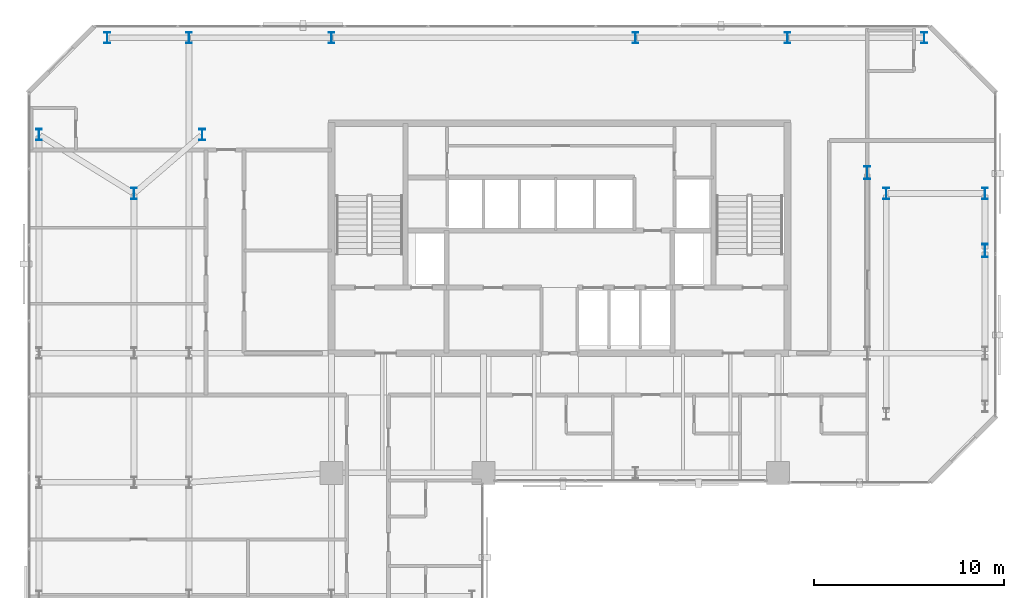
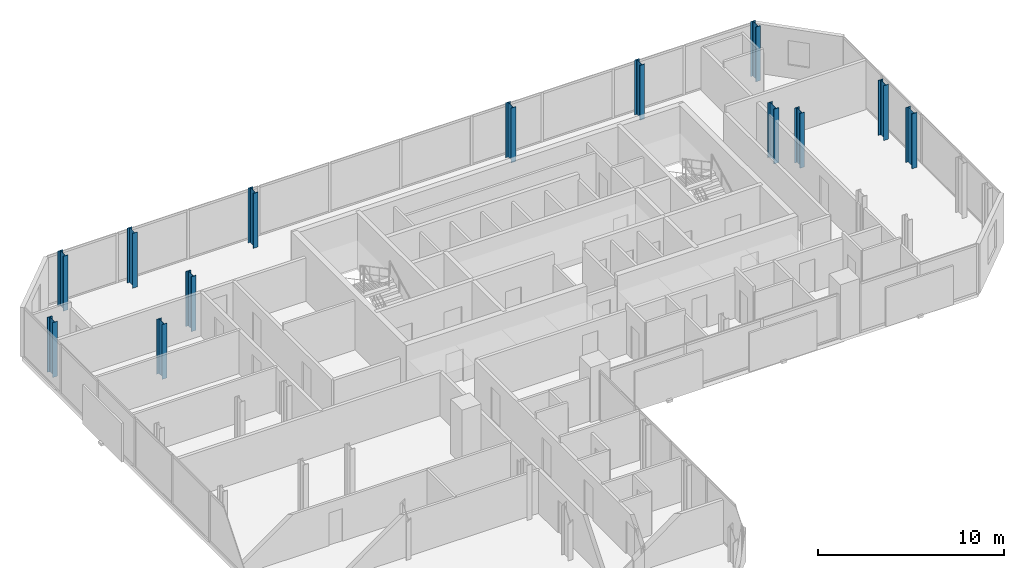
# One storey, part 2 of 32: 13 columns.
"""IFC4 building model written with IfcOpenShell, lengths in metres."""

from ifc_helpers import new_model, si_unit, direction, frame, origin, origin_2d, place, context, subcontext, project, spatial, i_section, extrude, material, material_profile, profile_set, type_object, element, save


model = new_model("IFC4")

# Units and contexts
model_context = context("Model", 3, precision=1e-05, world=origin(), true_north=direction((0.0, 1.0)))
body_context = subcontext(model_context, "Body", "Model", "MODEL_VIEW")
ifc_project = project(units=[si_unit("LENGTHUNIT", "METRE"), si_unit("AREAUNIT", "SQUARE_METRE"), si_unit("VOLUMEUNIT", "CUBIC_METRE"), si_unit("PLANEANGLEUNIT", "RADIAN"), si_unit("MASSUNIT", "GRAM", prefix="KILO")], contexts=[model_context])

# Site, building, storey
site_placement = place(None, origin())
site = spatial("IfcSite", under=ifc_project, at=site_placement, CompositionType="ELEMENT")
building_placement = place(site_placement, origin())
building = spatial("IfcBuilding", under=site, at=building_placement, Name="Catumbela Crestline Tower", CompositionType="ELEMENT")
storey_placement = place(building_placement, frame((0.0, 0.0, 140.4)))
storey = spatial("IfcBuildingStorey", under=building, at=storey_placement, Name="L36", CompositionType="ELEMENT", Elevation=140.4)

# Columns
ifc_material = material(Name="Structural steel S460M", Category="steel")
ifc_material_profile_1 = material_profile(ifc_material, i_section(OverallWidth=0.3, OverallDepth=0.6, WebThickness=0.0155, FlangeThickness=0.03, FilletRadius=0.027, at=origin_2d()), Name="HEB 600")
ifc_profile_set_1 = profile_set([ifc_material_profile_1], Name="Structural steel S460M")
column_type_1 = type_object("IfcColumnType", Name="C-ST-HEB600", PredefinedType="COLUMN", material=ifc_profile_set_1)
for number, where, z_axis, x_axis, name in (
    (1, (5.6, 39.2, 0.0), (0.0, 0.0, 1.0), (1.0, 0.0, 0.0), "L36 Column C-05-43 (HEB 600)"),
    (2, (9.2, 42.3, 0.0), (0.0, 0.0, 1.0), (1.0, 0.0, 0.0), "L36 Column C-08-43 (HEB 600)"),
    (3, (45.2, 39.2, 0.0), (0.0, 0.0, 1.0), (1.0, 0.0, 0.0), "L36 Column C-46-43 (HEB 600)"),
    (4, (0.6, 42.3, 0.0), (0.0, 0.0, 1.0), (1.0, 0.0, 0.0), "L36 Column C-00-43 (HEB 600)"),
    (5, (4.2, 47.4, 0.0), (0.0, 0.0, 1.0), (1.0, 0.0, 0.0), "L36 Column C-00-48 (HEB 600)"),
    (6, (8.5, 47.4, 0.0), (0.0, 0.0, 1.0), (1.0, 0.0, 0.0), "L36 Column C-08-48 (HEB 600)"),
    (7, (16.0, 47.4, 0.0), (0.0, 0.0, 1.0), (1.0, 0.0, 0.0), "L36 Column C-16-48 (HEB 600)"),
    (8, (32.0, 47.4, 0.0), (0.0, 0.0, 1.0), (1.0, 0.0, 0.0), "L36 Column C-32-48 (HEB 600)"),
    (9, (40.0, 47.4, 0.0), (0.0, 0.0, 1.0), (1.0, 0.0, 0.0), "L36 Column C-40-48 (HEB 600)"),
    (10, (47.2, 47.4, 0.0), (0.0, 0.0, 1.0), (1.0, 0.0, 0.0), "L36 Column C-48-48 (HEB 600)"),
    (11, (50.4, 39.2, 0.0), (0.0, 0.0, 1.0), (1.0, 0.0, 0.0), "L36 Column C-51-43 (HEB 600)"),
):
    element("IfcColumn", number, at=place(storey_placement, frame(where, z_axis=z_axis, x_axis=x_axis)), inside=storey, type_object=column_type_1, Name=name, PredefinedType="COLUMN", context=body_context, shape_type="SweptSolid", body=[
        extrude(i_section(OverallWidth=0.3, OverallDepth=0.6, WebThickness=0.0155, FlangeThickness=0.03, FilletRadius=0.027, at=origin_2d()), origin(), (0.0, 0.0, 1.0), 3.6),
    ])
ifc_material_profile_2 = material_profile(ifc_material, i_section(OverallWidth=0.3, OverallDepth=0.7, WebThickness=0.017, FlangeThickness=0.032, FilletRadius=0.027, at=origin_2d()), Name="HEB 700")
ifc_profile_set_2 = profile_set([ifc_material_profile_2], Name="Structural steel S460M")
column_type_2 = type_object("IfcColumnType", Name="C-ST-HEB700", PredefinedType="COLUMN", material=ifc_profile_set_2)
for number, where, z_axis, x_axis, name in (
    (12, (44.2, 40.3, 0.0), (0.0, 0.0, 1.0), (1.0, 0.0, 0.0), "L36 Column CT-46-37 (HEB 700)"),
    (13, (50.4, 36.2, 0.0), (0.0, 0.0, 1.0), (1.0, 0.0, 0.0), "L36 Column CT-51-37 (HEB 700)"),
):
    element("IfcColumn", number, at=place(storey_placement, frame(where, z_axis=z_axis, x_axis=x_axis)), inside=storey, type_object=column_type_2, Name=name, PredefinedType="COLUMN", context=body_context, shape_type="SweptSolid", body=[
        extrude(i_section(OverallWidth=0.3, OverallDepth=0.7, WebThickness=0.017, FlangeThickness=0.032, FilletRadius=0.027, at=origin_2d()), origin(), (0.0, 0.0, 1.0), 3.6),
    ])

save(model, "model.ifc")
